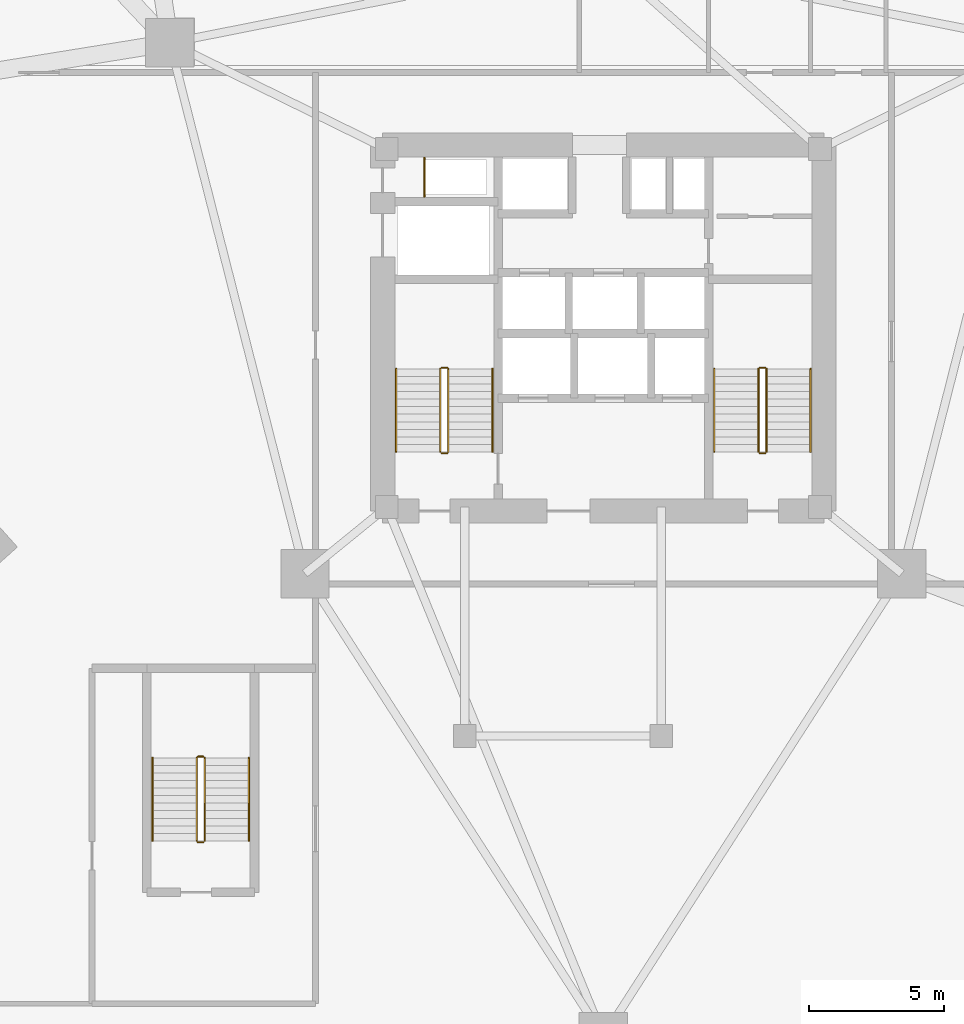
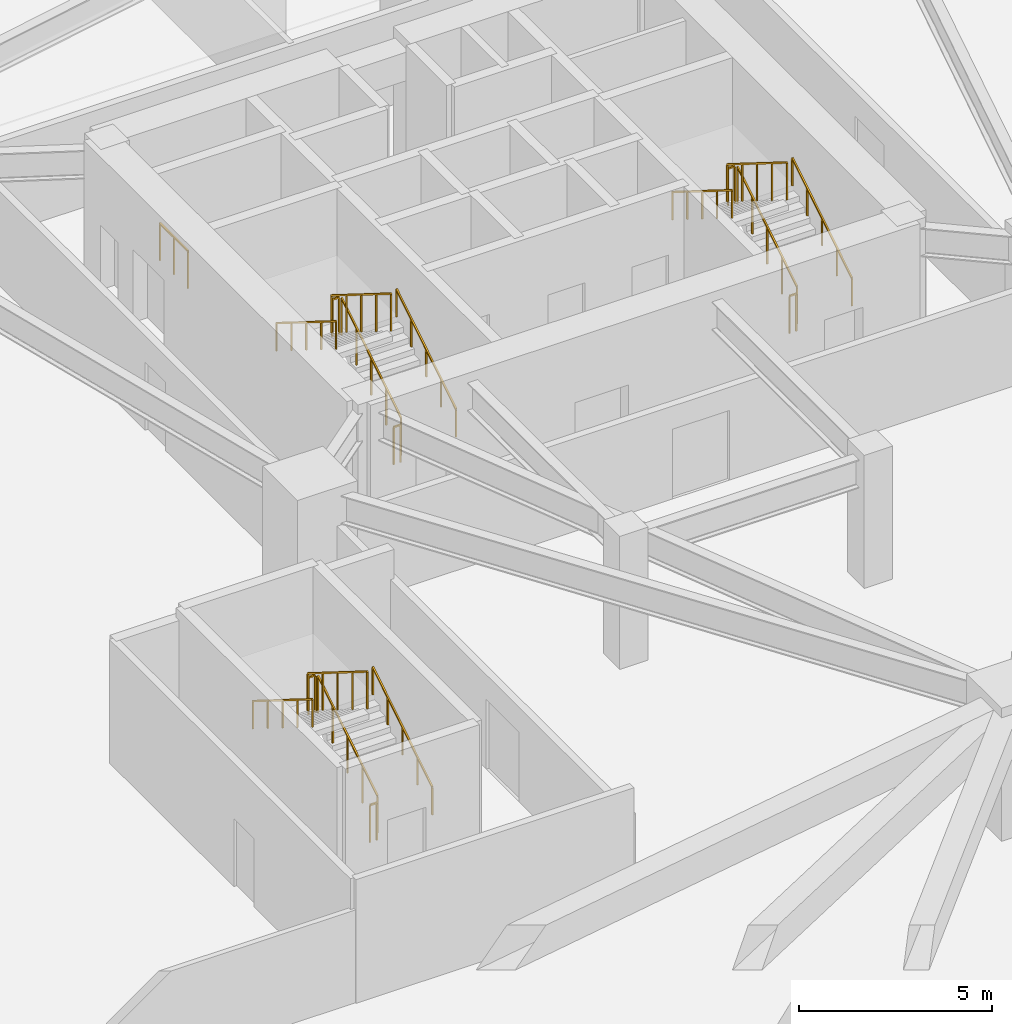
# One storey, part 9 of 10: 19 railings.
"""IFC4 building model written with IfcOpenShell, lengths in metres."""

from ifc_helpers import new_model, si_unit, direction, frame, origin, origin_2d, place, context, subcontext, project, spatial, rectangle, extrude, material, type_object, element, save


model = new_model("IFC4")

# Units and contexts
model_context = context("Model", 3, precision=1e-05, world=origin(), true_north=direction((0.0, 1.0)))
body_context = subcontext(model_context, "Body", "Model", "MODEL_VIEW")
ifc_project = project(units=[si_unit("LENGTHUNIT", "METRE"), si_unit("AREAUNIT", "SQUARE_METRE"), si_unit("VOLUMEUNIT", "CUBIC_METRE"), si_unit("PLANEANGLEUNIT", "RADIAN"), si_unit("MASSUNIT", "GRAM", prefix="KILO")], contexts=[model_context])

# Site, building, storey
site_placement = place(None, origin())
site = spatial("IfcSite", under=ifc_project, at=site_placement, CompositionType="ELEMENT")
building_placement = place(site_placement, origin())
building = spatial("IfcBuilding", under=site, at=building_placement, Name="Talyreon Biosciences Tower", CompositionType="ELEMENT")
storey_placement = place(building_placement, frame((0.0, 0.0, 14.39990234375)))
storey = spatial("IfcBuildingStorey", under=building, at=storey_placement, Name="L03", CompositionType="ELEMENT", Elevation=14.39990234375)

# Railings
ifc_material_1 = material(Name="Brushed stainless-steel tubular handrail", Category="steel")
railing_type_1 = type_object("IfcRailingType", Name="StairWallHandrail_900", PredefinedType="HANDRAIL", material=ifc_material_1)
railing_1_placement = place(storey_placement, frame((61.8798828125, 63.39990234375, 0.175048828125)))
element("IfcRailing", 1, at=railing_1_placement, inside=storey, type_object=railing_type_1, Name="L03 ST-1 stair handrail 1", PredefinedType="HANDRAIL", context=body_context, shape_type="SweptSolid", body=[
    extrude(rectangle(XDim=0.048095703125, YDim=0.048095703125, at=origin_2d()), frame((0.0, 0.0, 0.8759765625), z_axis=(0.0, 0.847998304005, 0.529998940003), x_axis=(-1.0, 0.0, 0.0)), (0.0, 0.0, 1.0), 3.632080078125),
    extrude(rectangle(XDim=0.0419921875, YDim=0.0419921875, at=origin_2d()), origin(), (0.0, 0.0, 1.0), 0.851806640625),
    extrude(rectangle(XDim=0.0419921875, YDim=0.0419921875, at=origin_2d()), frame((0.0, 0.77001953125, 0.481201171875)), (0.0, 0.0, 1.0), 0.851806640625),
    extrude(rectangle(XDim=0.0419921875, YDim=0.0419921875, at=origin_2d()), frame((0.0, 1.5400390625, 0.96240234375)), (0.0, 0.0, 1.0), 0.851806640625),
    extrude(rectangle(XDim=0.0419921875, YDim=0.0419921875, at=origin_2d()), frame((0.0, 2.31005859375, 1.44384765625)), (0.0, 0.0, 1.0), 0.851806640625),
    extrude(rectangle(XDim=0.0419921875, YDim=0.0419921875, at=origin_2d()), frame((0.0, 3.080078125, 1.925048828125)), (0.0, 0.0, 1.0), 0.851806640625),
])
railing_2_placement = place(storey_placement, frame((58.300048828125, 66.47998046875, 2.275146484375)))
element("IfcRailing", 2, at=railing_2_placement, inside=storey, type_object=railing_type_1, Name="L03 ST-1 stair handrail 2", PredefinedType="HANDRAIL", context=body_context, shape_type="SweptSolid", body=[
    extrude(rectangle(XDim=0.048095703125, YDim=0.048095703125, at=origin_2d()), frame((0.0, 0.0, 0.8759765625), z_axis=(0.0, -0.847998304005, 0.529998940003), x_axis=(1.0, 0.0, 0.0)), (0.0, 0.0, 1.0), 3.632080078125),
    extrude(rectangle(XDim=0.0419921875, YDim=0.0419921875, at=origin_2d()), origin(), (0.0, 0.0, 1.0), 0.851806640625),
    extrude(rectangle(XDim=0.0419921875, YDim=0.0419921875, at=origin_2d()), frame((0.0, -0.77001953125, 0.481201171875)), (0.0, 0.0, 1.0), 0.851806640625),
    extrude(rectangle(XDim=0.0419921875, YDim=0.0419921875, at=origin_2d()), frame((0.0, -1.5400390625, 0.96240234375)), (0.0, 0.0, 1.0), 0.851806640625),
    extrude(rectangle(XDim=0.0419921875, YDim=0.0419921875, at=origin_2d()), frame((0.0, -2.31005859375, 1.44384765625)), (0.0, 0.0, 1.0), 0.851806640625),
    extrude(rectangle(XDim=0.0419921875, YDim=0.0419921875, at=origin_2d()), frame((0.0, -3.080078125, 1.925048828125)), (0.0, 0.0, 1.0), 0.851806640625),
])
railing_3_placement = place(storey_placement, frame((73.699951171875, 63.39990234375, 0.175048828125)))
element("IfcRailing", 3, at=railing_3_placement, inside=storey, type_object=railing_type_1, Name="L03 ST-2 stair handrail 1", PredefinedType="HANDRAIL", context=body_context, shape_type="SweptSolid", body=[
    extrude(rectangle(XDim=0.048095703125, YDim=0.048095703125, at=origin_2d()), frame((0.0, 0.0, 0.8759765625), z_axis=(0.0, 0.847998304005, 0.529998940003), x_axis=(-1.0, 0.0, 0.0)), (0.0, 0.0, 1.0), 3.632080078125),
    extrude(rectangle(XDim=0.0419921875, YDim=0.0419921875, at=origin_2d()), origin(), (0.0, 0.0, 1.0), 0.851806640625),
    extrude(rectangle(XDim=0.0419921875, YDim=0.0419921875, at=origin_2d()), frame((0.0, 0.77001953125, 0.481201171875)), (0.0, 0.0, 1.0), 0.851806640625),
    extrude(rectangle(XDim=0.0419921875, YDim=0.0419921875, at=origin_2d()), frame((0.0, 1.5400390625, 0.96240234375)), (0.0, 0.0, 1.0), 0.851806640625),
    extrude(rectangle(XDim=0.0419921875, YDim=0.0419921875, at=origin_2d()), frame((0.0, 2.31005859375, 1.44384765625)), (0.0, 0.0, 1.0), 0.851806640625),
    extrude(rectangle(XDim=0.0419921875, YDim=0.0419921875, at=origin_2d()), frame((0.0, 3.080078125, 1.925048828125)), (0.0, 0.0, 1.0), 0.851806640625),
])
railing_4_placement = place(storey_placement, frame((70.1201171875, 66.47998046875, 2.275146484375)))
element("IfcRailing", 4, at=railing_4_placement, inside=storey, type_object=railing_type_1, Name="L03 ST-2 stair handrail 2", PredefinedType="HANDRAIL", context=body_context, shape_type="SweptSolid", body=[
    extrude(rectangle(XDim=0.048095703125, YDim=0.048095703125, at=origin_2d()), frame((0.0, 0.0, 0.8759765625), z_axis=(0.0, -0.847998304005, 0.529998940003), x_axis=(1.0, 0.0, 0.0)), (0.0, 0.0, 1.0), 3.632080078125),
    extrude(rectangle(XDim=0.0419921875, YDim=0.0419921875, at=origin_2d()), origin(), (0.0, 0.0, 1.0), 0.851806640625),
    extrude(rectangle(XDim=0.0419921875, YDim=0.0419921875, at=origin_2d()), frame((0.0, -0.77001953125, 0.481201171875)), (0.0, 0.0, 1.0), 0.851806640625),
    extrude(rectangle(XDim=0.0419921875, YDim=0.0419921875, at=origin_2d()), frame((0.0, -1.5400390625, 0.96240234375)), (0.0, 0.0, 1.0), 0.851806640625),
    extrude(rectangle(XDim=0.0419921875, YDim=0.0419921875, at=origin_2d()), frame((0.0, -2.31005859375, 1.44384765625)), (0.0, 0.0, 1.0), 0.851806640625),
    extrude(rectangle(XDim=0.0419921875, YDim=0.0419921875, at=origin_2d()), frame((0.0, -3.080078125, 1.925048828125)), (0.0, 0.0, 1.0), 0.851806640625),
])
railing_5_placement = place(storey_placement, frame((52.830078125, 48.949951171875, 0.175048828125)))
element("IfcRailing", 5, at=railing_5_placement, inside=storey, type_object=railing_type_1, Name="L03 ST-3 stair handrail 1", PredefinedType="HANDRAIL", context=body_context, shape_type="SweptSolid", body=[
    extrude(rectangle(XDim=0.048095703125, YDim=0.048095703125, at=origin_2d()), frame((0.0, 0.0, 0.8759765625), z_axis=(0.0, 0.847998304005, 0.529998940003), x_axis=(-1.0, 0.0, 0.0)), (0.0, 0.0, 1.0), 3.632080078125),
    extrude(rectangle(XDim=0.0419921875, YDim=0.0419921875, at=origin_2d()), origin(), (0.0, 0.0, 1.0), 0.851806640625),
    extrude(rectangle(XDim=0.0419921875, YDim=0.0419921875, at=origin_2d()), frame((0.0, 0.77001953125, 0.481201171875)), (0.0, 0.0, 1.0), 0.851806640625),
    extrude(rectangle(XDim=0.0419921875, YDim=0.0419921875, at=origin_2d()), frame((0.0, 1.5400390625, 0.96240234375)), (0.0, 0.0, 1.0), 0.851806640625),
    extrude(rectangle(XDim=0.0419921875, YDim=0.0419921875, at=origin_2d()), frame((0.0, 2.31005859375, 1.44384765625)), (0.0, 0.0, 1.0), 0.851806640625),
    extrude(rectangle(XDim=0.0419921875, YDim=0.0419921875, at=origin_2d()), frame((0.0, 3.080078125, 1.925048828125)), (0.0, 0.0, 1.0), 0.851806640625),
])
railing_6_placement = place(storey_placement, frame((49.25, 52.030029296875, 2.275146484375)))
element("IfcRailing", 6, at=railing_6_placement, inside=storey, type_object=railing_type_1, Name="L03 ST-3 stair handrail 2", PredefinedType="HANDRAIL", context=body_context, shape_type="SweptSolid", body=[
    extrude(rectangle(XDim=0.048095703125, YDim=0.048095703125, at=origin_2d()), frame((0.0, 0.0, 0.8759765625), z_axis=(0.0, -0.847998304005, 0.529998940003), x_axis=(1.0, 0.0, 0.0)), (0.0, 0.0, 1.0), 3.632080078125),
    extrude(rectangle(XDim=0.0419921875, YDim=0.0419921875, at=origin_2d()), origin(), (0.0, 0.0, 1.0), 0.851806640625),
    extrude(rectangle(XDim=0.0419921875, YDim=0.0419921875, at=origin_2d()), frame((0.0, -0.77001953125, 0.481201171875)), (0.0, 0.0, 1.0), 0.851806640625),
    extrude(rectangle(XDim=0.0419921875, YDim=0.0419921875, at=origin_2d()), frame((0.0, -1.5400390625, 0.96240234375)), (0.0, 0.0, 1.0), 0.851806640625),
    extrude(rectangle(XDim=0.0419921875, YDim=0.0419921875, at=origin_2d()), frame((0.0, -2.31005859375, 1.44384765625)), (0.0, 0.0, 1.0), 0.851806640625),
    extrude(rectangle(XDim=0.0419921875, YDim=0.0419921875, at=origin_2d()), frame((0.0, -3.080078125, 1.925048828125)), (0.0, 0.0, 1.0), 0.851806640625),
])
ifc_material_2 = material(Name="Painted galvanised steel post-and-rail balustrade", Category="steel")
railing_type_2 = type_object("IfcRailingType", Name="TerraceStairGuard_1200", PredefinedType="GUARDRAIL", material=ifc_material_2)
railing_7_placement = place(storey_placement, frame((60.239990234375, 63.39990234375, 0.175048828125)))
element("IfcRailing", 7, at=railing_7_placement, inside=storey, type_object=railing_type_2, Name="L03 ST-1 stair guard 1", PredefinedType="GUARDRAIL", context=body_context, shape_type="SweptSolid", body=[
    extrude(rectangle(XDim=0.048095703125, YDim=0.048095703125, at=origin_2d()), frame((0.0, 0.0, 1.17578125), z_axis=(0.0, 0.847998304005, 0.529998940003), x_axis=(-1.0, 0.0, 0.0)), (0.0, 0.0, 1.0), 3.632080078125),
    extrude(rectangle(XDim=0.0419921875, YDim=0.0419921875, at=origin_2d()), origin(), (0.0, 0.0, 1.0), 1.15185546875),
    extrude(rectangle(XDim=0.0419921875, YDim=0.0419921875, at=origin_2d()), frame((0.0, 0.77001953125, 0.481201171875)), (0.0, 0.0, 1.0), 1.15185546875),
    extrude(rectangle(XDim=0.0419921875, YDim=0.0419921875, at=origin_2d()), frame((0.0, 1.5400390625, 0.96240234375)), (0.0, 0.0, 1.0), 1.15185546875),
    extrude(rectangle(XDim=0.0419921875, YDim=0.0419921875, at=origin_2d()), frame((0.0, 2.31005859375, 1.44384765625)), (0.0, 0.0, 1.0), 1.15185546875),
    extrude(rectangle(XDim=0.0419921875, YDim=0.0419921875, at=origin_2d()), frame((0.0, 3.080078125, 1.925048828125)), (0.0, 0.0, 1.0), 1.15185546875),
])
railing_8_placement = place(storey_placement, frame((60.18994140625, 66.530029296875, 2.10009765625)))
element("IfcRailing", 8, at=railing_8_placement, inside=storey, type_object=railing_type_2, Name="L03 ST-1 stair guard 2", PredefinedType="GUARDRAIL", context=body_context, shape_type="SweptSolid", body=[
    extrude(rectangle(XDim=0.048095703125, YDim=0.048095703125, at=origin_2d()), frame((0.0, 0.0, 1.17578125), z_axis=(-1.0, 0.0, 0.0), x_axis=(0.0, -1.0, 0.0)), (0.0, 0.0, 1.0), 0.199951171875),
    extrude(rectangle(XDim=0.0419921875, YDim=0.0419921875, at=origin_2d()), origin(), (0.0, 0.0, 1.0), 1.15185546875),
    extrude(rectangle(XDim=0.0419921875, YDim=0.0419921875, at=origin_2d()), frame((-0.199951171875, 0.0, 0.0)), (0.0, 0.0, 1.0), 1.15185546875),
])
railing_9_placement = place(storey_placement, frame((59.93994140625, 66.47998046875, 2.275146484375)))
element("IfcRailing", 9, at=railing_9_placement, inside=storey, type_object=railing_type_2, Name="L03 ST-1 stair guard 3", PredefinedType="GUARDRAIL", context=body_context, shape_type="SweptSolid", body=[
    extrude(rectangle(XDim=0.048095703125, YDim=0.048095703125, at=origin_2d()), frame((0.0, 0.0, 1.17578125), z_axis=(0.0, -0.847998304005, 0.529998940003), x_axis=(1.0, 0.0, 0.0)), (0.0, 0.0, 1.0), 3.632080078125),
    extrude(rectangle(XDim=0.0419921875, YDim=0.0419921875, at=origin_2d()), origin(), (0.0, 0.0, 1.0), 1.15185546875),
    extrude(rectangle(XDim=0.0419921875, YDim=0.0419921875, at=origin_2d()), frame((0.0, -0.77001953125, 0.481201171875)), (0.0, 0.0, 1.0), 1.15185546875),
    extrude(rectangle(XDim=0.0419921875, YDim=0.0419921875, at=origin_2d()), frame((0.0, -1.5400390625, 0.96240234375)), (0.0, 0.0, 1.0), 1.15185546875),
    extrude(rectangle(XDim=0.0419921875, YDim=0.0419921875, at=origin_2d()), frame((0.0, -2.31005859375, 1.44384765625)), (0.0, 0.0, 1.0), 1.15185546875),
    extrude(rectangle(XDim=0.0419921875, YDim=0.0419921875, at=origin_2d()), frame((0.0, -3.080078125, 1.925048828125)), (0.0, 0.0, 1.0), 1.15185546875),
])
railing_10_placement = place(storey_placement, frame((60.18994140625, 63.35009765625, 0.0)))
element("IfcRailing", 10, at=railing_10_placement, inside=storey, type_object=railing_type_2, Name="L03 ST-1 stair guard 4", PredefinedType="GUARDRAIL", context=body_context, shape_type="SweptSolid", body=[
    extrude(rectangle(XDim=0.048095703125, YDim=0.048095703125, at=origin_2d()), frame((0.0, 0.0, 1.17578125), z_axis=(-1.0, 0.0, 0.0), x_axis=(0.0, -1.0, 0.0)), (0.0, 0.0, 1.0), 0.199951171875),
    extrude(rectangle(XDim=0.0419921875, YDim=0.0419921875, at=origin_2d()), origin(), (0.0, 0.0, 1.0), 1.15185546875),
    extrude(rectangle(XDim=0.0419921875, YDim=0.0419921875, at=origin_2d()), frame((-0.199951171875, 0.0, 0.0)), (0.0, 0.0, 1.0), 1.15185546875),
])
railing_11_placement = place(storey_placement, frame((72.06005859375, 63.39990234375, 0.175048828125)))
element("IfcRailing", 11, at=railing_11_placement, inside=storey, type_object=railing_type_2, Name="L03 ST-2 stair guard 1", PredefinedType="GUARDRAIL", context=body_context, shape_type="SweptSolid", body=[
    extrude(rectangle(XDim=0.048095703125, YDim=0.048095703125, at=origin_2d()), frame((0.0, 0.0, 1.17578125), z_axis=(0.0, 0.847998304005, 0.529998940003), x_axis=(-1.0, 0.0, 0.0)), (0.0, 0.0, 1.0), 3.632080078125),
    extrude(rectangle(XDim=0.0419921875, YDim=0.0419921875, at=origin_2d()), origin(), (0.0, 0.0, 1.0), 1.15185546875),
    extrude(rectangle(XDim=0.0419921875, YDim=0.0419921875, at=origin_2d()), frame((0.0, 0.77001953125, 0.481201171875)), (0.0, 0.0, 1.0), 1.15185546875),
    extrude(rectangle(XDim=0.0419921875, YDim=0.0419921875, at=origin_2d()), frame((0.0, 1.5400390625, 0.96240234375)), (0.0, 0.0, 1.0), 1.15185546875),
    extrude(rectangle(XDim=0.0419921875, YDim=0.0419921875, at=origin_2d()), frame((0.0, 2.31005859375, 1.44384765625)), (0.0, 0.0, 1.0), 1.15185546875),
    extrude(rectangle(XDim=0.0419921875, YDim=0.0419921875, at=origin_2d()), frame((0.0, 3.080078125, 1.925048828125)), (0.0, 0.0, 1.0), 1.15185546875),
])
railing_12_placement = place(storey_placement, frame((72.010009765625, 66.530029296875, 2.10009765625)))
element("IfcRailing", 12, at=railing_12_placement, inside=storey, type_object=railing_type_2, Name="L03 ST-2 stair guard 2", PredefinedType="GUARDRAIL", context=body_context, shape_type="SweptSolid", body=[
    extrude(rectangle(XDim=0.048095703125, YDim=0.048095703125, at=origin_2d()), frame((0.0, 0.0, 1.17578125), z_axis=(-1.0, 0.0, 0.0), x_axis=(0.0, -1.0, 0.0)), (0.0, 0.0, 1.0), 0.199951171875),
    extrude(rectangle(XDim=0.0419921875, YDim=0.0419921875, at=origin_2d()), origin(), (0.0, 0.0, 1.0), 1.15185546875),
    extrude(rectangle(XDim=0.0419921875, YDim=0.0419921875, at=origin_2d()), frame((-0.199951171875, 0.0, 0.0)), (0.0, 0.0, 1.0), 1.15185546875),
])
railing_13_placement = place(storey_placement, frame((71.760009765625, 66.47998046875, 2.275146484375)))
element("IfcRailing", 13, at=railing_13_placement, inside=storey, type_object=railing_type_2, Name="L03 ST-2 stair guard 3", PredefinedType="GUARDRAIL", context=body_context, shape_type="SweptSolid", body=[
    extrude(rectangle(XDim=0.048095703125, YDim=0.048095703125, at=origin_2d()), frame((0.0, 0.0, 1.17578125), z_axis=(0.0, -0.847998304005, 0.529998940003), x_axis=(1.0, 0.0, 0.0)), (0.0, 0.0, 1.0), 3.632080078125),
    extrude(rectangle(XDim=0.0419921875, YDim=0.0419921875, at=origin_2d()), origin(), (0.0, 0.0, 1.0), 1.15185546875),
    extrude(rectangle(XDim=0.0419921875, YDim=0.0419921875, at=origin_2d()), frame((0.0, -0.77001953125, 0.481201171875)), (0.0, 0.0, 1.0), 1.15185546875),
    extrude(rectangle(XDim=0.0419921875, YDim=0.0419921875, at=origin_2d()), frame((0.0, -1.5400390625, 0.96240234375)), (0.0, 0.0, 1.0), 1.15185546875),
    extrude(rectangle(XDim=0.0419921875, YDim=0.0419921875, at=origin_2d()), frame((0.0, -2.31005859375, 1.44384765625)), (0.0, 0.0, 1.0), 1.15185546875),
    extrude(rectangle(XDim=0.0419921875, YDim=0.0419921875, at=origin_2d()), frame((0.0, -3.080078125, 1.925048828125)), (0.0, 0.0, 1.0), 1.15185546875),
])
railing_14_placement = place(storey_placement, frame((72.010009765625, 63.35009765625, 0.0)))
element("IfcRailing", 14, at=railing_14_placement, inside=storey, type_object=railing_type_2, Name="L03 ST-2 stair guard 4", PredefinedType="GUARDRAIL", context=body_context, shape_type="SweptSolid", body=[
    extrude(rectangle(XDim=0.048095703125, YDim=0.048095703125, at=origin_2d()), frame((0.0, 0.0, 1.17578125), z_axis=(-1.0, 0.0, 0.0), x_axis=(0.0, -1.0, 0.0)), (0.0, 0.0, 1.0), 0.199951171875),
    extrude(rectangle(XDim=0.0419921875, YDim=0.0419921875, at=origin_2d()), origin(), (0.0, 0.0, 1.0), 1.15185546875),
    extrude(rectangle(XDim=0.0419921875, YDim=0.0419921875, at=origin_2d()), frame((-0.199951171875, 0.0, 0.0)), (0.0, 0.0, 1.0), 1.15185546875),
])
railing_15_placement = place(storey_placement, frame((51.18994140625, 48.949951171875, 0.175048828125)))
element("IfcRailing", 15, at=railing_15_placement, inside=storey, type_object=railing_type_2, Name="L03 ST-3 stair guard 1", PredefinedType="GUARDRAIL", context=body_context, shape_type="SweptSolid", body=[
    extrude(rectangle(XDim=0.048095703125, YDim=0.048095703125, at=origin_2d()), frame((0.0, 0.0, 1.17578125), z_axis=(0.0, 0.847998304005, 0.529998940003), x_axis=(-1.0, 0.0, 0.0)), (0.0, 0.0, 1.0), 3.632080078125),
    extrude(rectangle(XDim=0.0419921875, YDim=0.0419921875, at=origin_2d()), origin(), (0.0, 0.0, 1.0), 1.15185546875),
    extrude(rectangle(XDim=0.0419921875, YDim=0.0419921875, at=origin_2d()), frame((0.0, 0.77001953125, 0.481201171875)), (0.0, 0.0, 1.0), 1.15185546875),
    extrude(rectangle(XDim=0.0419921875, YDim=0.0419921875, at=origin_2d()), frame((0.0, 1.5400390625, 0.96240234375)), (0.0, 0.0, 1.0), 1.15185546875),
    extrude(rectangle(XDim=0.0419921875, YDim=0.0419921875, at=origin_2d()), frame((0.0, 2.31005859375, 1.44384765625)), (0.0, 0.0, 1.0), 1.15185546875),
    extrude(rectangle(XDim=0.0419921875, YDim=0.0419921875, at=origin_2d()), frame((0.0, 3.080078125, 1.925048828125)), (0.0, 0.0, 1.0), 1.15185546875),
])
railing_16_placement = place(storey_placement, frame((51.139892578125, 52.080078125, 2.10009765625)))
element("IfcRailing", 16, at=railing_16_placement, inside=storey, type_object=railing_type_2, Name="L03 ST-3 stair guard 2", PredefinedType="GUARDRAIL", context=body_context, shape_type="SweptSolid", body=[
    extrude(rectangle(XDim=0.048095703125, YDim=0.048095703125, at=origin_2d()), frame((0.0, 0.0, 1.17578125), z_axis=(-1.0, 0.0, 0.0), x_axis=(0.0, -1.0, 0.0)), (0.0, 0.0, 1.0), 0.199951171875),
    extrude(rectangle(XDim=0.0419921875, YDim=0.0419921875, at=origin_2d()), origin(), (0.0, 0.0, 1.0), 1.15185546875),
    extrude(rectangle(XDim=0.0419921875, YDim=0.0419921875, at=origin_2d()), frame((-0.199951171875, 0.0, 0.0)), (0.0, 0.0, 1.0), 1.15185546875),
])
railing_17_placement = place(storey_placement, frame((50.889892578125, 52.030029296875, 2.275146484375)))
element("IfcRailing", 17, at=railing_17_placement, inside=storey, type_object=railing_type_2, Name="L03 ST-3 stair guard 3", PredefinedType="GUARDRAIL", context=body_context, shape_type="SweptSolid", body=[
    extrude(rectangle(XDim=0.048095703125, YDim=0.048095703125, at=origin_2d()), frame((0.0, 0.0, 1.17578125), z_axis=(0.0, -0.847998304005, 0.529998940003), x_axis=(1.0, 0.0, 0.0)), (0.0, 0.0, 1.0), 3.632080078125),
    extrude(rectangle(XDim=0.0419921875, YDim=0.0419921875, at=origin_2d()), origin(), (0.0, 0.0, 1.0), 1.15185546875),
    extrude(rectangle(XDim=0.0419921875, YDim=0.0419921875, at=origin_2d()), frame((0.0, -0.77001953125, 0.481201171875)), (0.0, 0.0, 1.0), 1.15185546875),
    extrude(rectangle(XDim=0.0419921875, YDim=0.0419921875, at=origin_2d()), frame((0.0, -1.5400390625, 0.96240234375)), (0.0, 0.0, 1.0), 1.15185546875),
    extrude(rectangle(XDim=0.0419921875, YDim=0.0419921875, at=origin_2d()), frame((0.0, -2.31005859375, 1.44384765625)), (0.0, 0.0, 1.0), 1.15185546875),
    extrude(rectangle(XDim=0.0419921875, YDim=0.0419921875, at=origin_2d()), frame((0.0, -3.080078125, 1.925048828125)), (0.0, 0.0, 1.0), 1.15185546875),
])
railing_18_placement = place(storey_placement, frame((51.139892578125, 48.89990234375, 0.0)))
element("IfcRailing", 18, at=railing_18_placement, inside=storey, type_object=railing_type_2, Name="L03 ST-3 stair guard 4", PredefinedType="GUARDRAIL", context=body_context, shape_type="SweptSolid", body=[
    extrude(rectangle(XDim=0.048095703125, YDim=0.048095703125, at=origin_2d()), frame((0.0, 0.0, 1.17578125), z_axis=(-1.0, 0.0, 0.0), x_axis=(0.0, -1.0, 0.0)), (0.0, 0.0, 1.0), 0.199951171875),
    extrude(rectangle(XDim=0.0419921875, YDim=0.0419921875, at=origin_2d()), origin(), (0.0, 0.0, 1.0), 1.15185546875),
    extrude(rectangle(XDim=0.0419921875, YDim=0.0419921875, at=origin_2d()), frame((-0.199951171875, 0.0, 0.0)), (0.0, 0.0, 1.0), 1.15185546875),
])
railing_19_placement = place(storey_placement, frame((59.35009765625, 72.8798828125, 0.0)))
element("IfcRailing", 19, at=railing_19_placement, inside=storey, type_object=railing_type_2, Name="L03 Exhaust Riser Maintenance Guardrail", PredefinedType="GUARDRAIL", context=body_context, shape_type="SweptSolid", body=[
    extrude(rectangle(XDim=0.048095703125, YDim=0.048095703125, at=origin_2d()), frame((0.0, 0.0, 1.17578125), z_axis=(0.0, 1.0, 0.0), x_axis=(-1.0, 0.0, 0.0)), (0.0, 0.0, 1.0), 1.4501953125),
    extrude(rectangle(XDim=0.0419921875, YDim=0.0419921875, at=origin_2d()), origin(), (0.0, 0.0, 1.0), 1.15185546875),
    extrude(rectangle(XDim=0.0419921875, YDim=0.0419921875, at=origin_2d()), frame((0.0, 0.72509765625, 0.0)), (0.0, 0.0, 1.0), 1.15185546875),
    extrude(rectangle(XDim=0.0419921875, YDim=0.0419921875, at=origin_2d()), frame((0.0, 1.4501953125, 0.0)), (0.0, 0.0, 1.0), 1.15185546875),
])

save(model, "model.ifc")
